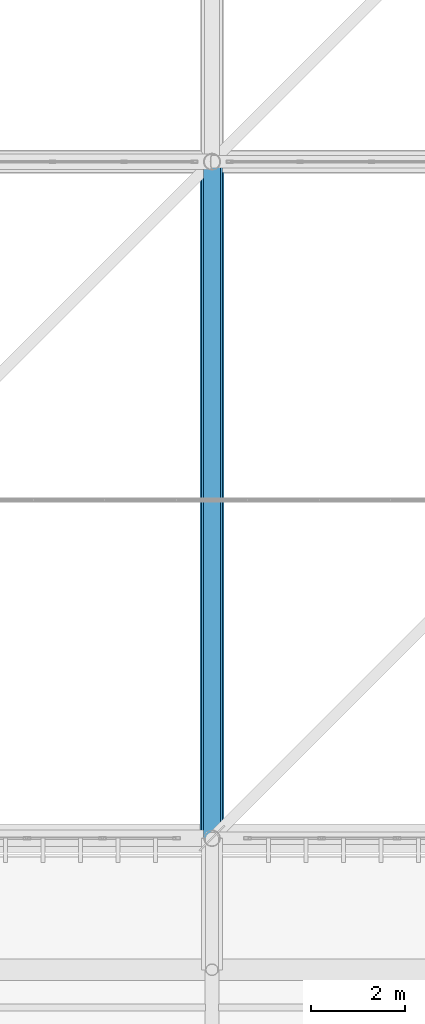
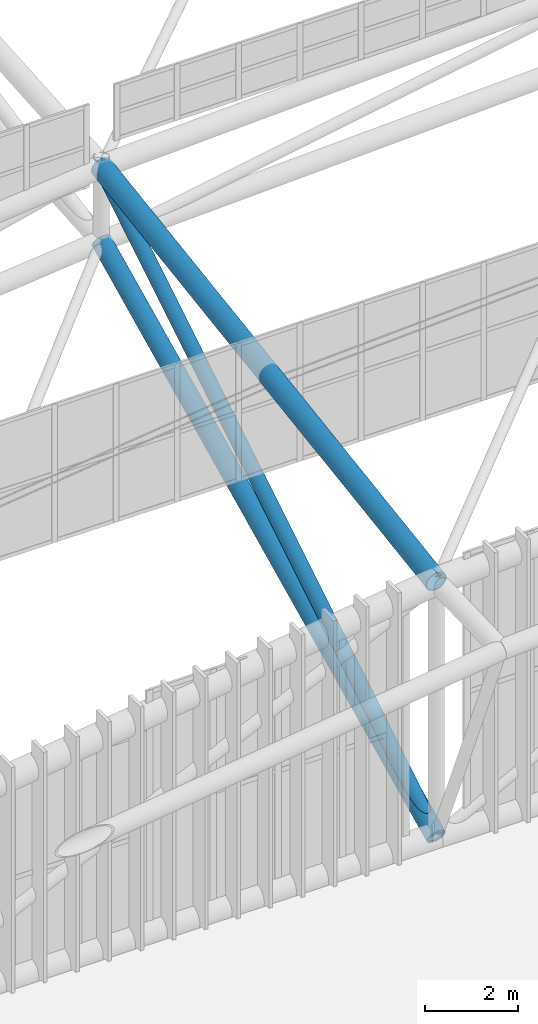
# One storey, part 33 of 397: 2 beams, 1 member.
"""IFC4 building model written with IfcOpenShell, lengths in metres."""

from ifc_helpers import new_model, si_unit, direction, frame, origin, origin_2d, place, context, subcontext, project, spatial, hollow_circle, extrude, material, material_profile, profile_set, type_object, element, save


model = new_model("IFC4")

# Units and contexts
model_context = context("Model", 3, precision=1e-05, world=origin(), true_north=direction((0.0, 1.0)))
body_context = subcontext(model_context, "Body", "Model", "MODEL_VIEW")
ifc_project = project(units=[si_unit("LENGTHUNIT", "METRE"), si_unit("AREAUNIT", "SQUARE_METRE"), si_unit("VOLUMEUNIT", "CUBIC_METRE"), si_unit("PLANEANGLEUNIT", "RADIAN"), si_unit("MASSUNIT", "GRAM", prefix="KILO")], contexts=[model_context])

# Site, building, storey
site_placement = place(None, origin())
site = spatial("IfcSite", under=ifc_project, at=site_placement, CompositionType="ELEMENT")
building_placement = place(site_placement, origin())
building = spatial("IfcBuilding", under=site, at=building_placement, Name="Qandorah Velis Arena", CompositionType="ELEMENT")
storey_placement = place(building_placement, frame((0.0, 0.0, 27.5)))
storey = spatial("IfcBuildingStorey", under=building, at=storey_placement, Name="RF", CompositionType="ELEMENT", Elevation=27.5)

# Beams
ifc_material = material(Name="Steel S355", Category="steel")
ifc_material_profile_1 = material_profile(ifc_material, hollow_circle(Radius=0.228515625, WallThickness=0.01611328125, at=origin_2d()), Name="CHS 457x16")
ifc_profile_set_1 = profile_set([ifc_material_profile_1], Name="Steel S355")
beam_type_1 = type_object("IfcBeamType", Name="STR-SFC-CHS457X16", PredefinedType="USERDEFINED", material=ifc_profile_set_1)
beam_1_placement = place(storey_placement, frame((43.199951171875, 14.39990234375, 0.10009765625), z_axis=(0.0, 0.901587688, 0.432596394861), x_axis=(-1.0, 0.0, 0.0)))
element("IfcBeam", 1, at=beam_1_placement, inside=storey, type_object=beam_type_1, Name="Space frame roof truss bottom chord Y 2.0", ObjectType="ROOF TRUSS", PredefinedType="USERDEFINED", context=body_context, shape_type="SweptSolid", body=[
    extrude(hollow_circle(Radius=0.228515625, WallThickness=0.01611328125, at=origin_2d()), origin(), (0.0, 0.0, 1.0), 15.971923828125),
])
ifc_material_profile_2 = material_profile(ifc_material, hollow_circle(Radius=0.25390625, WallThickness=0.02001953125, at=origin_2d()), Name="CHS 508x20")
ifc_profile_set_2 = profile_set([ifc_material_profile_2], Name="Steel S355")
beam_type_2 = type_object("IfcBeamType", Name="STR-SFC-CHS508X20", PredefinedType="USERDEFINED", material=ifc_profile_set_2)
beam_2_placement = place(storey_placement, frame((43.199951171875, 14.39990234375, 6.79931640625), z_axis=(0.0, 0.988935000034, 0.148349471548), x_axis=(-1.0, 0.0, 0.0)))
element("IfcBeam", 2, at=beam_2_placement, inside=storey, type_object=beam_type_2, Name="Space frame roof truss top chord Y 2.0", ObjectType="ROOF TRUSS", PredefinedType="USERDEFINED", context=body_context, shape_type="SweptSolid", body=[
    extrude(hollow_circle(Radius=0.25390625, WallThickness=0.02001953125, at=origin_2d()), origin(), (0.0, 0.0, 1.0), 14.561279296875),
])

# Member
ifc_material_profile_3 = material_profile(ifc_material, hollow_circle(Radius=0.177734375, WallThickness=0.012451171875, at=origin_2d()), Name="CHS 355.6x12.5")
ifc_profile_set_3 = profile_set([ifc_material_profile_3], Name="Steel S355")
member_type = type_object("IfcMemberType", Name="STR-SFD-CHS355X12", PredefinedType="STRUT", material=ifc_profile_set_3)
member_placement = place(storey_placement, frame((43.199951171875, 14.39990234375, 0.10009765625), z_axis=(0.0, 0.851717806726, 0.524000742086), x_axis=(-1.0, 0.0, 0.0)))
element("IfcMember", 3, at=member_placement, inside=storey, type_object=member_type, Name="Space frame roof diagonal Y 2.0", PredefinedType="STRUT", context=body_context, shape_type="SweptSolid", body=[
    extrude(hollow_circle(Radius=0.177734375, WallThickness=0.012451171875, at=origin_2d()), origin(), (0.0, 0.0, 1.0), 16.9072265625),
])

save(model, "model.ifc")
